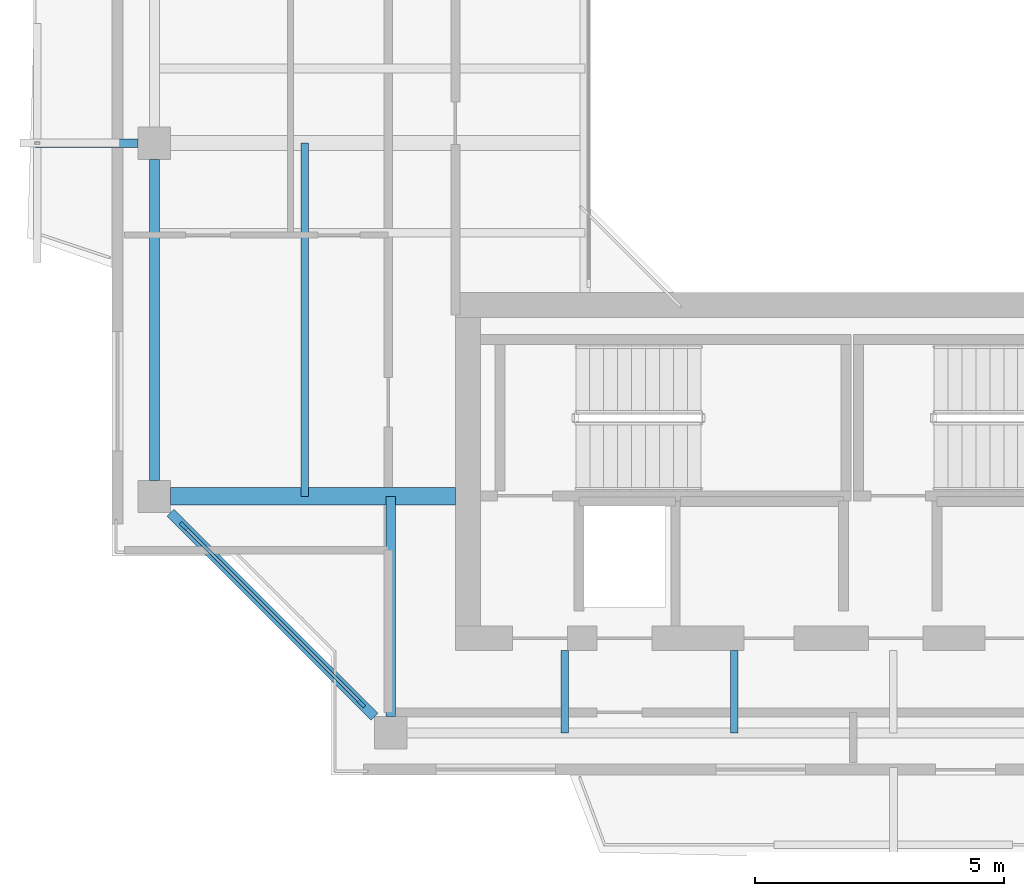
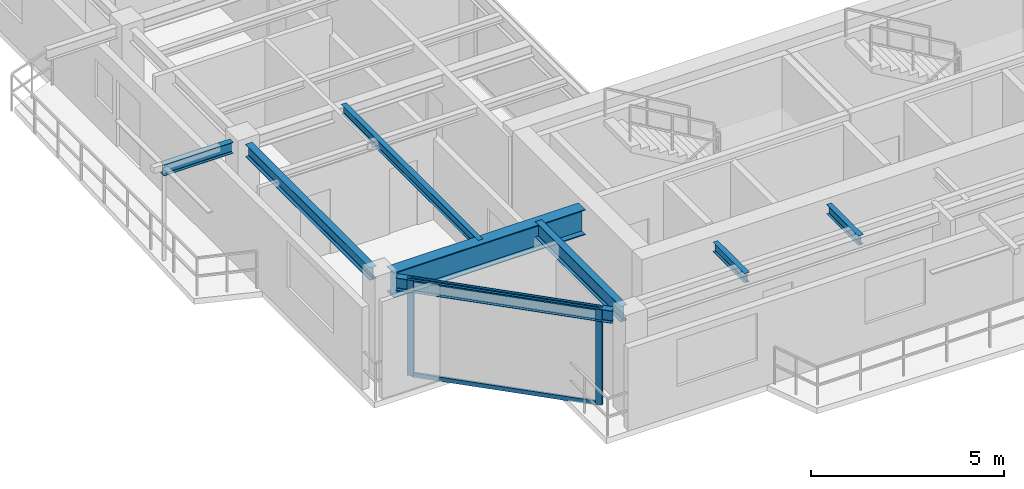
# One storey, part 2 of 15: 8 beams, 4 members, 1 element without a shape of its own.
"""IFC4 building model written with IfcOpenShell, lengths in metres."""

from ifc_helpers import new_model, si_unit, direction, frame, origin, origin_2d, place, context, subcontext, project, spatial, rectangle, i_section, extrude, source, transform, mapped, material, layer, layer_set, material_profile, profile_set, type_object, element, aggregate, save


model = new_model("IFC4")

# Units and contexts
model_context = context("Model", 3, precision=1e-05, world=origin(), true_north=direction((0.0, 1.0)))
body_context = subcontext(model_context, "Body", "Model", "MODEL_VIEW")
ifc_project = project(units=[si_unit("LENGTHUNIT", "METRE"), si_unit("AREAUNIT", "SQUARE_METRE"), si_unit("VOLUMEUNIT", "CUBIC_METRE"), si_unit("PLANEANGLEUNIT", "RADIAN"), si_unit("MASSUNIT", "GRAM", prefix="KILO"), si_unit("THERMODYNAMICTEMPERATUREUNIT", "KELVIN"), si_unit("POWERUNIT", "WATT")], contexts=[model_context])

# Site, building, storey
site_placement = place(None, origin())
site = spatial("IfcSite", under=ifc_project, at=site_placement, CompositionType="ELEMENT")
building_placement = place(site_placement, origin())
building = spatial("IfcBuilding", under=site, at=building_placement, Name="Qiaomeng Ring Towers", CompositionType="ELEMENT")
storey_placement = place(building_placement, frame((0.0, 0.0, 250.25)))
storey = spatial("IfcBuildingStorey", under=building, at=storey_placement, Name="L73", CompositionType="ELEMENT", Elevation=250.25)

# Beams
ifc_material_1 = material(Name="Steel Q355B", Category="steel")
ifc_material_profile_1 = material_profile(ifc_material_1, i_section(OverallWidth=0.198974609375, OverallDepth=0.39599609375, WebThickness=0.007080078125, FlangeThickness=0.010986328125, FilletRadius=0.01611328125, at=origin_2d()), Name="HN 396x199x7x11")
ifc_profile_set_1 = profile_set([ifc_material_profile_1], Name="Steel Q355B")
beam_type_1 = type_object("IfcBeamType", Name="STR-BM-HN396", PredefinedType="SPANDREL", material=ifc_profile_set_1)
shared_shape_1 = source(origin(), body_context, "Body", "SweptSolid", [
    extrude(i_section(OverallWidth=0.198974609375, OverallDepth=0.39599609375, WebThickness=0.007080078125, FlangeThickness=0.010986328125, FilletRadius=0.01611328125, at=origin_2d()), origin(), (0.0, 0.0, 1.0), 5.800048828125),
])
beam_1_placement = place(storey_placement, frame((4.474365234375, 12.57568359375, 2.8720703125), z_axis=(0.707106781187, -0.707106781187, 0.0), x_axis=(0.707106781187, 0.707106781187, 0.0)))
element("IfcBeam", 1, at=beam_1_placement, inside=storey, type_object=beam_type_1, Name="L73 beam STR-SP-L73-T1-W1-S1", PredefinedType="SPANDREL", context=body_context, shape_type="MappedRepresentation", body=[
    mapped(shared_shape_1, transform((0.0, 0.0, 0.0), x_axis=(1.0, 0.0, 0.0), y_axis=(0.0, 1.0, 0.0), z_axis=(0.0, 0.0, 1.0), scale=1.0)),
])
shared_shape_2 = source(origin(), body_context, "Body", "SweptSolid", [
    extrude(i_section(OverallWidth=0.198974609375, OverallDepth=0.39599609375, WebThickness=0.007080078125, FlangeThickness=0.010986328125, FilletRadius=0.01611328125, at=origin_2d()), origin(), (0.0, 0.0, 1.0), 6.451904296875),
])
beam_2_placement = place(storey_placement, frame((4.14990234375, 19.676025390625, 2.8720703125), z_axis=(0.0, -1.0, 0.0), x_axis=(1.0, 0.0, 0.0)))
element("IfcBeam", 2, at=beam_2_placement, inside=storey, type_object=beam_type_1, Name="L73 beam STR-SP-L73-T1-W2-W1", PredefinedType="SPANDREL", context=body_context, shape_type="MappedRepresentation", body=[
    mapped(shared_shape_2, transform((0.0, 0.0, 0.0), x_axis=(1.0, 0.0, 0.0), y_axis=(0.0, 1.0, 0.0), z_axis=(0.0, 0.0, 1.0), scale=1.0)),
])
ifc_material_2 = material(Name="Steel Q390GJC", Category="steel")
ifc_material_profile_2 = material_profile(ifc_material_2, i_section(OverallWidth=0.35009765625, OverallDepth=0.800048828125, WebThickness=0.01611328125, FlangeThickness=0.028076171875, at=origin_2d()), Name="WH 800x350x16x28")
ifc_profile_set_2 = profile_set([ifc_material_profile_2], Name="Steel Q390GJC")
beam_type_2 = type_object("IfcBeamType", Name="STR-BM-WH800", PredefinedType="BEAM", material=ifc_profile_set_2)
shared_shape_3 = source(origin(), body_context, "Body", "SweptSolid", [
    extrude(i_section(OverallWidth=0.35009765625, OverallDepth=0.800048828125, WebThickness=0.01611328125, FlangeThickness=0.028076171875, at=origin_2d()), origin(), (0.0, 0.0, 1.0), 5.725830078125),
])
beam_3_placement = place(storey_placement, frame((4.47412109375, 12.89990234375, 2.669921875), z_axis=(1.0, 0.0, 0.0), x_axis=(0.0, 1.0, 0.0)))
element("IfcBeam", 3, at=beam_3_placement, inside=storey, type_object=beam_type_2, Name="L73 beam STR-BM-L73-T1-RAD-W1", PredefinedType="BEAM", context=body_context, shape_type="MappedRepresentation", body=[
    mapped(shared_shape_3, transform((0.0, 0.0, 0.0), x_axis=(1.0, 0.0, 0.0), y_axis=(0.0, 1.0, 0.0), z_axis=(0.0, 0.0, 1.0), scale=1.0)),
])
ifc_material_profile_3 = material_profile(ifc_material_1, i_section(OverallWidth=0.198974609375, OverallDepth=0.49609375, WebThickness=0.009033203125, FlangeThickness=0.013916015625, FilletRadius=0.01806640625, at=origin_2d()), Name="HN 496x199x9x14")
ifc_profile_set_3 = profile_set([ifc_material_profile_3], Name="Steel Q355B")
beam_type_3 = type_object("IfcBeamType", Name="STR-BM-HN496", PredefinedType="BEAM", material=ifc_profile_set_3)
shared_shape_4 = source(origin(), body_context, "Body", "SweptSolid", [
    extrude(i_section(OverallWidth=0.198974609375, OverallDepth=0.49609375, WebThickness=0.009033203125, FlangeThickness=0.013916015625, FilletRadius=0.01806640625, at=origin_2d()), origin(), (0.0, 0.0, 1.0), 4.42578125),
])
beam_4_placement = place(storey_placement, frame((8.89990234375, 8.47412109375, 2.822021484375), z_axis=(0.0, 1.0, 0.0), x_axis=(-1.0, 0.0, 0.0)))
element("IfcBeam", 4, at=beam_4_placement, inside=storey, type_object=beam_type_3, Name="L73 beam STR-BM-L73-T1-RAD-S1", PredefinedType="BEAM", context=body_context, shape_type="MappedRepresentation", body=[
    mapped(shared_shape_4, transform((0.0, 0.0, 0.0), x_axis=(1.0, 0.0, 0.0), y_axis=(0.0, 1.0, 0.0), z_axis=(0.0, 0.0, 1.0), scale=1.0)),
])
ifc_material_profile_4 = material_profile(ifc_material_1, i_section(OverallWidth=0.175048828125, OverallDepth=0.35009765625, WebThickness=0.007080078125, FlangeThickness=0.010986328125, FilletRadius=0.013916015625, at=origin_2d()), Name="HN 350x175x7x11")
ifc_profile_set_4 = profile_set([ifc_material_profile_4], Name="Steel Q355B")
beam_type_4 = type_object("IfcBeamType", Name="STR-BM-HN350", PredefinedType="JOIST", material=ifc_profile_set_4)
shared_shape_5 = source(origin(), body_context, "Body", "SweptSolid", [
    extrude(i_section(OverallWidth=0.175048828125, OverallDepth=0.35009765625, WebThickness=0.007080078125, FlangeThickness=0.010986328125, FilletRadius=0.013916015625, at=origin_2d()), origin(), (0.0, 0.0, 1.0), 2.075927734375),
])
beam_5_placement = place(storey_placement, frame((1.75, 20.0, 2.89501953125), z_axis=(1.0, 0.0, 0.0), x_axis=(0.0, 1.0, 0.0)))
element("IfcBeam", 5, at=beam_5_placement, inside=storey, type_object=beam_type_4, Name="L73 beam STR-BALBM-L73-W2", PredefinedType="JOIST", context=body_context, shape_type="MappedRepresentation", body=[
    mapped(shared_shape_5, transform((0.0, 0.0, 0.0), x_axis=(1.0, 0.0, 0.0), y_axis=(0.0, 1.0, 0.0), z_axis=(0.0, 0.0, 1.0), scale=1.0)),
])
ifc_material_profile_5 = material_profile(ifc_material_1, i_section(OverallWidth=0.14990234375, OverallDepth=0.300048828125, WebThickness=0.006591796875, FlangeThickness=0.009033203125, FilletRadius=0.012939453125, at=origin_2d()), Name="HN 300x150x6.5x9")
ifc_profile_set_5 = profile_set([ifc_material_profile_5], Name="Steel Q355B")
beam_type_5 = type_object("IfcBeamType", Name="STR-BM-HN300", PredefinedType="JOIST", material=ifc_profile_set_5)
shared_shape_6 = source(origin(), body_context, "Body", "SweptSolid", [
    extrude(i_section(OverallWidth=0.14990234375, OverallDepth=0.300048828125, WebThickness=0.006591796875, FlangeThickness=0.009033203125, FilletRadius=0.012939453125, at=origin_2d()), origin(), (0.0, 0.0, 1.0), 1.650146484375),
])
for number, where, z_axis, x_axis, name in (
    (6, (12.39990234375, 8.14990234375, 2.919921875), (0.0, 1.0, 0.0), (-1.0, 0.0, 0.0), "L73 beam STR-JST-L73-T1S-1"),
    (7, (15.800048828125, 8.14990234375, 2.919921875), (0.0, 1.0, 0.0), (-1.0, 0.0, 0.0), "L73 beam STR-JST-L73-T1S-2"),
):
    element("IfcBeam", number, at=place(storey_placement, frame(where, z_axis=z_axis, x_axis=x_axis)), inside=storey, type_object=beam_type_5, Name=name, PredefinedType="JOIST", context=body_context, shape_type="MappedRepresentation", body=[
        mapped(shared_shape_6, transform((0.0, 0.0, 0.0), x_axis=(1.0, 0.0, 0.0), y_axis=(0.0, 1.0, 0.0), z_axis=(0.0, 0.0, 1.0), scale=1.0)),
    ])
shared_shape_7 = source(origin(), body_context, "Body", "SweptSolid", [
    extrude(i_section(OverallWidth=0.14990234375, OverallDepth=0.300048828125, WebThickness=0.006591796875, FlangeThickness=0.009033203125, FilletRadius=0.012939453125, at=origin_2d()), origin(), (0.0, 0.0, 1.0), 7.10009765625),
])
beam_6_placement = place(storey_placement, frame((7.175048828125, 12.89990234375, 2.919921875), z_axis=(0.0, 1.0, 0.0), x_axis=(-1.0, 0.0, 0.0)))
element("IfcBeam", 8, at=beam_6_placement, inside=storey, type_object=beam_type_5, Name="L73 beam STR-JST-L73-T1C-WS", PredefinedType="JOIST", context=body_context, shape_type="MappedRepresentation", body=[
    mapped(shared_shape_7, transform((0.0, 0.0, 0.0), x_axis=(1.0, 0.0, 0.0), y_axis=(0.0, 1.0, 0.0), z_axis=(0.0, 0.0, 1.0), scale=1.0)),
])

# Curtain wall, members
ifc_material_3 = material(Name="Fluorocarbon dark-grey aluminium", Category="aluminium")
ifc_layer = layer(ifc_material_3, 0.14990234375, Name="Fluorocarbon dark-grey aluminium")
ifc_layer_set = layer_set([ifc_layer], Name="Fluorocarbon dark-grey aluminium")
curtain_wall_type = type_object("IfcCurtainWallType", Name="ARC-CW-3", PredefinedType="NOTDEFINED", material=ifc_layer_set)
curtain_wall_placement = place(storey_placement, origin())
curtain_wall = element("IfcCurtainWall", 9, at=curtain_wall_placement, inside=storey, type_object=curtain_wall_type, Name="L73 Curtain Wall CW3", PredefinedType="NOTDEFINED")
ifc_material_profile_6 = material_profile(ifc_material_3, rectangle(XDim=0.070068359375, YDim=0.179931640625, at=origin_2d()), Name="ALU MULL 70x180")
ifc_profile_set_6 = profile_set([ifc_material_profile_6], Name="Fluorocarbon dark-grey aluminium")
member_type_1 = type_object("IfcMemberType", Name="ARC-CWM-160", PredefinedType="MULLION", material=ifc_profile_set_6)
shared_shape_8 = source(origin(), body_context, "Body", "SweptSolid", [
    extrude(rectangle(XDim=0.070068359375, YDim=0.179931640625, at=origin_2d()), origin(), (0.0, 0.0, 1.0), 3.070068359375),
])
member_1_placement = place(storey_placement, frame((4.73974609375, 12.310302734375, 0.0), z_axis=(0.0, 0.0, 1.0), x_axis=(0.707106781187, 0.707106781187, 0.0)))
member_1 = element("IfcMember", 10, at=member_1_placement, type_object=member_type_1, Name="CW3 mullion 1", PredefinedType="MULLION", context=body_context, shape_type="MappedRepresentation", body=[
    mapped(shared_shape_8, transform((0.0, 0.0, 0.0), x_axis=(1.0, 0.0, 0.0), y_axis=(0.0, 1.0, 0.0), z_axis=(0.0, 0.0, 1.0), scale=1.0)),
])
member_2_placement = place(storey_placement, frame((8.310302734375, 8.73974609375, 0.0), z_axis=(0.0, 0.0, 1.0), x_axis=(0.707106781187, 0.707106781187, 0.0)))
member_2 = element("IfcMember", 11, at=member_2_placement, type_object=member_type_1, Name="CW3 mullion 2", PredefinedType="MULLION", context=body_context, shape_type="MappedRepresentation", body=[
    mapped(shared_shape_8, transform((0.0, 0.0, 0.0), x_axis=(1.0, 0.0, 0.0), y_axis=(0.0, 1.0, 0.0), z_axis=(0.0, 0.0, 1.0), scale=1.0)),
])
ifc_material_profile_7 = material_profile(ifc_material_3, rectangle(XDim=0.06494140625, YDim=0.1298828125, at=origin_2d()), Name="ALU TRAN 65x130")
ifc_profile_set_7 = profile_set([ifc_material_profile_7], Name="Fluorocarbon dark-grey aluminium")
member_type_2 = type_object("IfcMemberType", Name="ARC-CWT-120", PredefinedType="USERDEFINED", material=ifc_profile_set_7)
shared_shape_9 = source(origin(), body_context, "Body", "SweptSolid", [
    extrude(rectangle(XDim=0.06494140625, YDim=0.1298828125, at=origin_2d()), origin(), (0.0, 0.0, 1.0), 4.9794921875),
])
member_3_placement = place(storey_placement, frame((4.764404296875, 12.285400390625, 0.032470703125), z_axis=(0.707106781187, -0.707106781187, 0.0), x_axis=(0.707106781187, 0.707106781187, 0.0)))
member_3 = element("IfcMember", 12, at=member_3_placement, type_object=member_type_2, Name="CW3 transom 1.1", ObjectType="TRANSOM", PredefinedType="USERDEFINED", context=body_context, shape_type="MappedRepresentation", body=[
    mapped(shared_shape_9, transform((0.0, 0.0, 0.0), x_axis=(1.0, 0.0, 0.0), y_axis=(0.0, 1.0, 0.0), z_axis=(0.0, 0.0, 1.0), scale=1.0)),
])
member_4_placement = place(storey_placement, frame((4.764404296875, 12.285400390625, 3.03759765625), z_axis=(0.707106781187, -0.707106781187, 0.0), x_axis=(0.707106781187, 0.707106781187, 0.0)))
member_4 = element("IfcMember", 13, at=member_4_placement, type_object=member_type_2, Name="CW3 transom 1.2", ObjectType="TRANSOM", PredefinedType="USERDEFINED", context=body_context, shape_type="MappedRepresentation", body=[
    mapped(shared_shape_9, transform((0.0, 0.0, 0.0), x_axis=(1.0, 0.0, 0.0), y_axis=(0.0, 1.0, 0.0), z_axis=(0.0, 0.0, 1.0), scale=1.0)),
])
aggregate(curtain_wall, [member_1, member_2, member_3, member_4])

save(model, "model.ifc")
